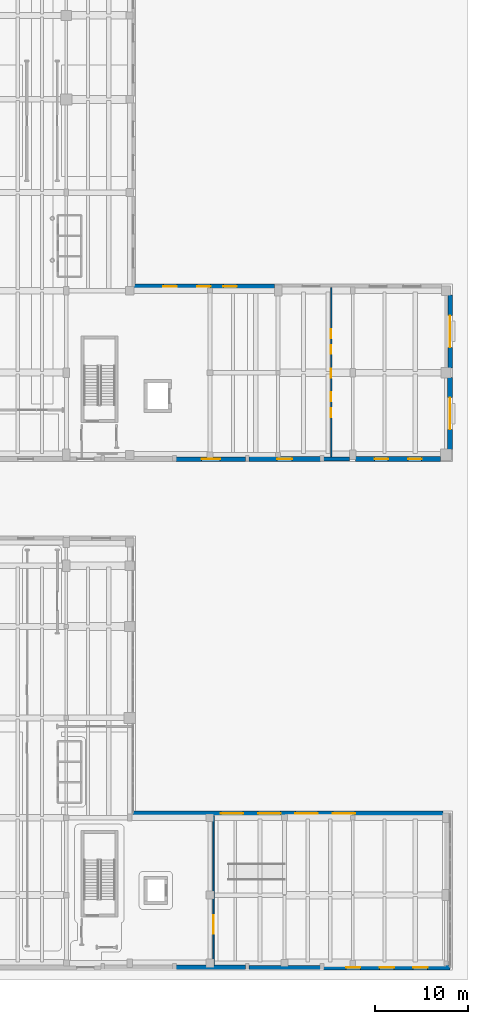
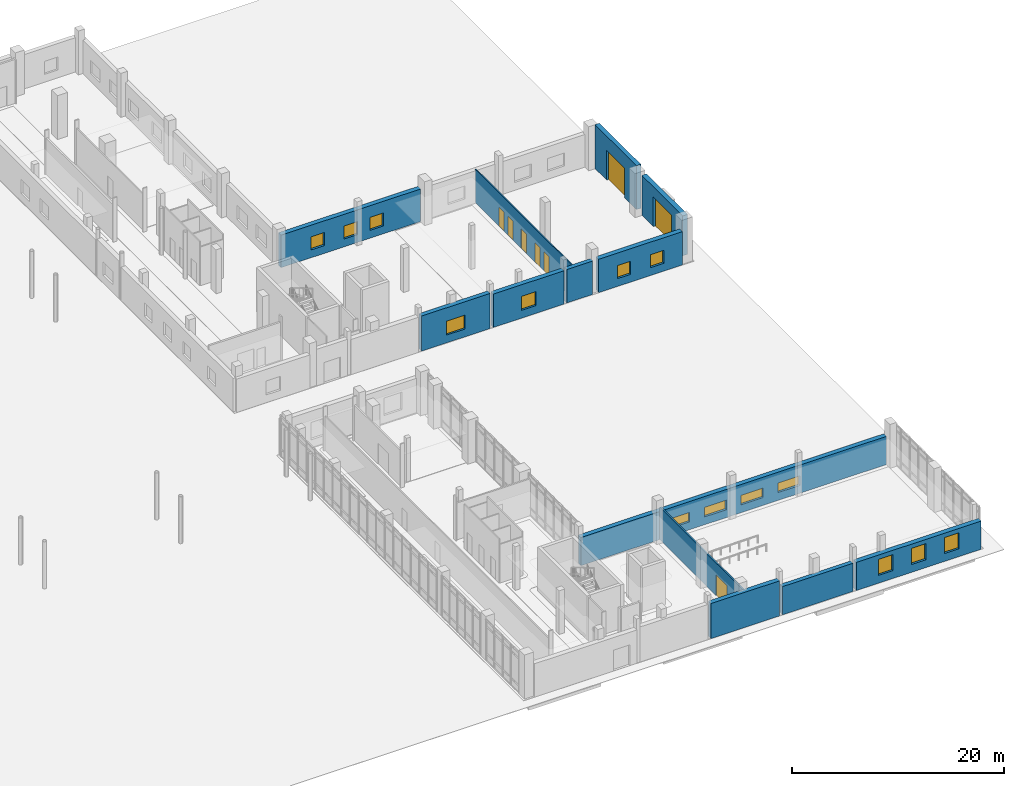
# One storey, part 54 of 74: 14 windows, 13 walls, 8 doors, 22 openings.
"""IFC4 building model written with IfcOpenShell, lengths in metres."""

import ifcopenshell
import ifcopenshell.guid

model = None  # the IFC model being written
_history = None  # IfcOwnerHistory: only IFC2X3 demands one
_inside = {}  # id of a spatial element -> (the spatial element, [elements in it])
_under = {}  # id of a project, library or spatial element -> (it, [spatial elements below it])
_declared = {}  # id of a project -> (the project, [libraries it declares])
_typed = {}  # id of a type object -> (the type object, [elements of that type])
_made_of = {}  # id of a material, layer set ... -> (it, [elements and type objects made of it])


def new_model(schema):
    """Start an empty IFC model of exactly this schema.

    Asked for "IFC4X3", IfcOpenShell would pick the latest addendum, in which some entities
    have other attributes; the version numbers below select the first issue.
    IFC2X3 requires an IfcOwnerHistory on every rooted entity: one is made here for all.
    """
    global model, _history
    if schema == "IFC4X3":
        model = ifcopenshell.file(schema_version=(4, 3, 0, 0))
    else:
        model = ifcopenshell.file(schema=schema)
    _inside.clear()
    _under.clear()
    _declared.clear()
    _typed.clear()
    _made_of.clear()
    _history = None
    if model.schema == "IFC2X3":
        org = make("IfcOrganization", Name="unknown")
        user = make(
            "IfcPersonAndOrganization",
            ThePerson=make("IfcPerson", FamilyName="unknown"),
            TheOrganization=org,
        )
        app = make(
            "IfcApplication",
            ApplicationDeveloper=org,
            Version="unknown",
            ApplicationFullName="unknown",
            ApplicationIdentifier="unknown",
        )
        _history = make(
            "IfcOwnerHistory",
            OwningUser=user,
            OwningApplication=app,
            ChangeAction="ADDED",
            CreationDate=0,
        )
    return model


def make(cls, **values):
    """One entity of the class cls with the attributes given. An attribute that is None is left unset."""
    return model.create_entity(
        cls, **{name: value for name, value in values.items() if value is not None}
    )


def rooted(cls, **values):
    """An entity with a GlobalId (a new one), such as an element, a storey or a relation."""
    return make(cls, GlobalId=ifcopenshell.guid.new(), OwnerHistory=_history, **values)


def si_unit(unit_type, name, prefix=None):
    """IfcSIUnit, for example si_unit("LENGTHUNIT", "METRE", prefix="MILLI")."""
    return make("IfcSIUnit", UnitType=unit_type, Prefix=prefix, Name=name)


def assignment(units):
    """IfcUnitAssignment: the units of a project."""
    return None if units is None else make("IfcUnitAssignment", Units=units)


def point(xyz):
    """IfcCartesianPoint."""
    return None if xyz is None else make("IfcCartesianPoint", Coordinates=xyz)


def direction(xyz):
    """IfcDirection."""
    return None if xyz is None else make("IfcDirection", DirectionRatios=xyz)


def frame(location, z_axis=None, x_axis=None):
    """IfcAxis2Placement3D, a coordinate frame: its origin and axes. An axis left out is left unset."""
    return make(
        "IfcAxis2Placement3D",
        Location=point(location),
        Axis=direction(z_axis),
        RefDirection=direction(x_axis),
    )


def frame_2d(location, x_axis=None):
    """IfcAxis2Placement2D, a coordinate frame in the plane: its origin and x axis."""
    return make(
        "IfcAxis2Placement2D", Location=point(location), RefDirection=direction(x_axis)
    )


def origin():
    """The frame at (0, 0, 0) with its axes left unset."""
    return frame((0.0, 0.0, 0.0))


def place(relative_to, where):
    """IfcLocalPlacement: puts the frame where relative to a parent placement (None: the world)."""
    return make(
        "IfcLocalPlacement", PlacementRelTo=relative_to, RelativePlacement=where
    )


def context(
    kind, dimensions, precision=None, world=None, true_north=None, identifier=None
):
    """IfcGeometricRepresentationContext, for example the 3D "Model" context."""
    return make(
        "IfcGeometricRepresentationContext",
        ContextIdentifier=identifier,
        ContextType=kind,
        CoordinateSpaceDimension=dimensions,
        Precision=precision,
        WorldCoordinateSystem=world,
        TrueNorth=true_north,
    )


def subcontext(parent, identifier, kind, view, scale=None):
    """IfcGeometricRepresentationSubContext, for example "Body" below "Model"."""
    return make(
        "IfcGeometricRepresentationSubContext",
        ContextIdentifier=identifier,
        ContextType=kind,
        ParentContext=parent,
        TargetScale=scale,
        TargetView=view,
    )


def project(units=None, contexts=None):
    """IfcProject with its units and contexts."""
    return rooted(
        "IfcProject",
        Name="project",
        RepresentationContexts=contexts,
        UnitsInContext=assignment(units),
    )


def spatial(cls, under=None, at=None, **own):
    """A site, building, storey or space (cls), placed at a placement, below another one or the project."""
    s = rooted(cls, ObjectPlacement=at, **own)
    if under is not None:
        _under.setdefault(under.id(), (under, []))[1].append(s)
    return s


def profile(cls, at=None, kind="AREA", **sizes):
    """A parametric profile (cls). Its sizes go by their IFC names, for example OverallWidth=200.0."""
    return make(cls, ProfileType=kind, Position=at, **sizes)


def rectangle(**sizes):
    """IfcRectangleProfileDef."""
    return profile("IfcRectangleProfileDef", **sizes)


def extrude(swept, where, along, depth):
    """IfcExtrudedAreaSolid: the profile swept, set in the frame where, extruded along a direction by depth."""
    return make(
        "IfcExtrudedAreaSolid",
        SweptArea=swept,
        Position=where,
        ExtrudedDirection=direction(along),
        Depth=depth,
    )


def shape(context_of_items, identifier, shape_type, items):
    """IfcShapeRepresentation: the items that make up one representation, for example the "Body"."""
    return make(
        "IfcShapeRepresentation",
        ContextOfItems=context_of_items,
        RepresentationIdentifier=identifier,
        RepresentationType=shape_type,
        Items=items,
    )


def material(Name=None, Category=None):
    """IfcMaterial."""
    return make("IfcMaterial", Name=Name, Category=Category)


def layer(
    of_material, thickness, ventilated=None, Name=None, Category=None, Priority=None
):
    """IfcMaterialLayer: one layer of a wall or slab, of a material (None: an air gap)."""
    return make(
        "IfcMaterialLayer",
        Material=of_material,
        LayerThickness=thickness,
        IsVentilated=ventilated,
        Name=Name,
        Category=Category,
        Priority=Priority,
    )


def layer_set(layers, Name=None):
    """IfcMaterialLayerSet."""
    return make("IfcMaterialLayerSet", MaterialLayers=layers, LayerSetName=Name)


def made_of(thing, what):
    """Note that an element or type object is made of a material, layer set ...; save() writes the relation."""
    if what is not None:
        _made_of.setdefault(what.id(), (what, []))[1].append(thing)
    return thing


def type_object(cls, material=None, **own):
    """A type object (cls), such as IfcWallType, which elements share."""
    return made_of(rooted(cls, **own), material)


def element(
    cls,
    number,
    at=None,
    inside=None,
    cuts=None,
    type_object=None,
    material=None,
    context=None,
    identifier="Body",
    shape_type=None,
    held_by="IfcProductDefinitionShape",
    body=None,
    shapes=None,
    **own,
):
    """One element of the class cls, such as IfcWall. Its Tag is "e" and its number.

    at: its placement. inside: the storey or other place that contains it. cuts: it is an
    opening in that element (IfcRelVoidsElement). A single representation is given by context,
    identifier, shape_type and body (its items); several are given by shapes. held_by: the class
    of the entity that holds the representations. save() writes the other relations.
    """
    e = rooted(cls, Tag="e%d" % number, ObjectPlacement=at, **own)
    if body is not None:
        shapes = [shape(context, identifier, shape_type, body)]
    if shapes is not None:
        e.Representation = make(held_by, Representations=shapes)
    if inside is not None:
        _inside.setdefault(inside.id(), (inside, []))[1].append(e)
    if cuts is not None:
        rooted(
            "IfcRelVoidsElement", RelatingBuildingElement=cuts, RelatedOpeningElement=e
        )
    if type_object is not None:
        _typed.setdefault(type_object.id(), (type_object, []))[1].append(e)
    return made_of(e, material)


def fill(opening, filler):
    """IfcRelFillsElement: the door or window that sits in an opening."""
    return rooted(
        "IfcRelFillsElement",
        RelatingOpeningElement=opening,
        RelatedBuildingElement=filler,
    )


def aggregate(whole, parts):
    """IfcRelAggregates: a whole, such as a stair, and the parts it consists of."""
    return rooted("IfcRelAggregates", RelatingObject=whole, RelatedObjects=parts)


def save(model, path):
    """Write the relations noted so far, then the file.

    IfcRelAggregates (storeys below a building ...), IfcRelContainedInSpatialStructure (elements
    in a storey), IfcRelDefinesByType, IfcRelAssociatesMaterial and IfcRelDeclares: one each for
    every whole, place, type object, material and project.
    """
    for whole, parts in _under.values():
        aggregate(whole, parts)
    for where, things in _inside.values():
        rooted(
            "IfcRelContainedInSpatialStructure",
            RelatedElements=things,
            RelatingStructure=where,
        )
    for kind, things in _typed.values():
        rooted("IfcRelDefinesByType", RelatedObjects=things, RelatingType=kind)
    for what, things in _made_of.values():
        rooted("IfcRelAssociatesMaterial", RelatedObjects=things, RelatingMaterial=what)
    for by, libraries in _declared.values():
        rooted("IfcRelDeclares", RelatingContext=by, RelatedDefinitions=libraries)
    model.write(path)


model = new_model("IFC4")

# Units and contexts
model_context = context("Model", 3, precision=1e-05, world=origin(), true_north=direction((0.0, 1.0)))
body_context = subcontext(model_context, "Body", "Model", "MODEL_VIEW")
ifc_project = project(units=[si_unit("LENGTHUNIT", "METRE"), si_unit("AREAUNIT", "SQUARE_METRE"), si_unit("VOLUMEUNIT", "CUBIC_METRE"), si_unit("PLANEANGLEUNIT", "RADIAN"), si_unit("MASSUNIT", "GRAM", prefix="KILO")], contexts=[model_context])

# Site, building, storey
site_placement = place(None, origin())
site = spatial("IfcSite", under=ifc_project, at=site_placement, CompositionType="ELEMENT")
building_placement = place(site_placement, origin())
building = spatial("IfcBuilding", under=site, at=building_placement, Name="Soyqirgoq Riverine Aquarium", CompositionType="ELEMENT")
storey_placement = place(building_placement, origin())
storey = spatial("IfcBuildingStorey", under=building, at=storey_placement, Name="L01", CompositionType="ELEMENT", Elevation=0.0)

# Wall, openings, doors
ifc_material_1 = material(Name="Lightweight steel-stud gypsum partition", Category="steel")
ifc_layer_1 = layer(ifc_material_1, 0.1201171875)
ifc_layer_set_1 = layer_set([ifc_layer_1], Name="Lightweight steel-stud gypsum partition")
wall_type_1 = type_object("IfcWallType", Name="PartitionWall_120_Std", PredefinedType="PARTITIONING", material=ifc_layer_set_1)
wall_1_placement = place(storey_placement, frame((151.0, 74.6298828125, 0.0), z_axis=(0.0, 0.0, 1.0), x_axis=(0.0, -1.0, 0.0)))
wall_1 = element("IfcWall", 1, at=wall_1_placement, inside=storey, type_object=wall_type_1, Name="Enclosed Lorry Loading Bay Partition Wall", PredefinedType="PARTITIONING", context=body_context, shape_type="SweptSolid", body=[
    extrude(rectangle(XDim=18.259765625, YDim=0.1201171875, at=frame_2d((9.1298828125, 0.0))), origin(), (0.0, 0.0, 1.0), 3.840087890625),
])
opening_1_placement = place(wall_1_placement, frame((8.679931640625, 0.0, 0.0)))
opening_1 = element("IfcOpeningElement", 2, at=opening_1_placement, cuts=wall_1, Name="Opening ID-03", PredefinedType="OPENING", context=body_context, shape_type="SweptSolid", body=[
    extrude(rectangle(XDim=1.0, YDim=2.199951171875, at=frame_2d((0.5, 1.10009765625))), frame((0.0, 0.070068359375, 0.0), z_axis=(0.0, -1.0, 0.0), x_axis=(1.0, 0.0, 0.0)), (0.0, 0.0, 1.0), 0.14013671875),
])
opening_2_placement = place(wall_1_placement, frame((6.16259765625, 0.0, 0.0)))
opening_2 = element("IfcOpeningElement", 3, at=opening_2_placement, cuts=wall_1, Name="Opening ID-06", PredefinedType="OPENING", context=body_context, shape_type="SweptSolid", body=[
    extrude(rectangle(XDim=0.949951171875, YDim=2.199951171875, at=frame_2d((0.47509765625, 1.10009765625))), frame((0.0, 0.070068359375, 0.0), z_axis=(0.0, -1.0, 0.0), x_axis=(1.0, 0.0, 0.0)), (0.0, 0.0, 1.0), 0.14013671875),
])
opening_3_placement = place(wall_1_placement, frame((11.24755859375, 0.0, 0.0)))
opening_3 = element("IfcOpeningElement", 4, at=opening_3_placement, cuts=wall_1, Name="Opening ID-06", PredefinedType="OPENING", context=body_context, shape_type="SweptSolid", body=[
    extrude(rectangle(XDim=0.949951171875, YDim=2.199951171875, at=frame_2d((0.47509765625, 1.10009765625))), frame((0.0, 0.070068359375, 0.0), z_axis=(0.0, -1.0, 0.0), x_axis=(1.0, 0.0, 0.0)), (0.0, 0.0, 1.0), 0.14013671875),
])
opening_4_placement = place(wall_1_placement, frame((4.467529296875, 0.0, 0.0)))
opening_4 = element("IfcOpeningElement", 5, at=opening_4_placement, cuts=wall_1, Name="Opening ID-06", PredefinedType="OPENING", context=body_context, shape_type="SweptSolid", body=[
    extrude(rectangle(XDim=0.949951171875, YDim=2.199951171875, at=frame_2d((0.47509765625, 1.10009765625))), frame((0.0, 0.070068359375, 0.0), z_axis=(0.0, -1.0, 0.0), x_axis=(1.0, 0.0, 0.0)), (0.0, 0.0, 1.0), 0.14013671875),
])
opening_5_placement = place(wall_1_placement, frame((12.9423828125, 0.0, 0.0)))
opening_5 = element("IfcOpeningElement", 6, at=opening_5_placement, cuts=wall_1, Name="Opening ID-06", PredefinedType="OPENING", context=body_context, shape_type="SweptSolid", body=[
    extrude(rectangle(XDim=0.949951171875, YDim=2.199951171875, at=frame_2d((0.47509765625, 1.10009765625))), frame((0.0, 0.070068359375, 0.0), z_axis=(0.0, -1.0, 0.0), x_axis=(1.0, 0.0, 0.0)), (0.0, 0.0, 1.0), 0.14013671875),
])
ifc_material_2 = material(Name="Solid-core ash veneer room door", Category="wood")
door_type_1 = type_object("IfcDoorType", Name="RoomDoor_1000x2200", OperationType="NOTDEFINED", PredefinedType="DOOR", material=ifc_material_2)
door_1_placement = place(opening_1_placement, origin())
door_1 = element("IfcDoor", 7, at=door_1_placement, inside=storey, type_object=door_type_1, Name="IDR-V7-L01-0216 Enclosed Lorry Loading Bay Door", OperationType="SINGLE_SWING_RIGHT", OverallHeight=2.199951171875, OverallWidth=1.0, PredefinedType="DOOR", context=body_context, shape_type="SweptSolid", body=[
    extrude(rectangle(XDim=1.0, YDim=2.199951171875, at=frame_2d((0.5, 1.10009765625))), frame((0.0, 0.02490234375, 0.0), z_axis=(0.0, -1.0, 0.0), x_axis=(1.0, 0.0, 0.0)), (0.0, 0.0, 1.0), 0.050048828125),
])
fill(opening_1, door_1)
ifc_material_3 = material(Name="Moisture-resistant HPL washroom door", Category="wood")
door_type_2 = type_object("IfcDoorType", Name="WCDoor_950x2200", OperationType="NOTDEFINED", PredefinedType="DOOR", material=ifc_material_3)
door_2_placement = place(opening_2_placement, origin())
door_2 = element("IfcDoor", 8, at=door_2_placement, inside=storey, type_object=door_type_2, Name="IDR-V7-L01-0220 Enclosed Lorry Loading Bay Access Door", OperationType="SINGLE_SWING_LEFT", OverallHeight=2.199951171875, OverallWidth=0.949951171875, PredefinedType="DOOR", context=body_context, shape_type="SweptSolid", body=[
    extrude(rectangle(XDim=0.949951171875, YDim=2.199951171875, at=frame_2d((0.47509765625, 1.10009765625))), frame((0.0, 0.02490234375, 0.0), z_axis=(0.0, -1.0, 0.0), x_axis=(1.0, 0.0, 0.0)), (0.0, 0.0, 1.0), 0.050048828125),
])
fill(opening_2, door_2)
door_3_placement = place(opening_3_placement, origin())
door_3 = element("IfcDoor", 9, at=door_3_placement, inside=storey, type_object=door_type_2, Name="IDR-V7-L01-0223 Life Support Plant Access Door", OperationType="SINGLE_SWING_RIGHT", OverallHeight=2.199951171875, OverallWidth=0.949951171875, PredefinedType="DOOR", context=body_context, shape_type="SweptSolid", body=[
    extrude(rectangle(XDim=0.949951171875, YDim=2.199951171875, at=frame_2d((0.47509765625, 1.10009765625))), frame((0.0, 0.02490234375, 0.0), z_axis=(0.0, -1.0, 0.0), x_axis=(1.0, 0.0, 0.0)), (0.0, 0.0, 1.0), 0.050048828125),
])
fill(opening_3, door_3)
door_4_placement = place(opening_4_placement, origin())
door_4 = element("IfcDoor", 10, at=door_4_placement, inside=storey, type_object=door_type_2, Name="IDR-V7-L01-0224 Enclosed Lorry Loading Bay Access Door", OperationType="SINGLE_SWING_LEFT", OverallHeight=2.199951171875, OverallWidth=0.949951171875, PredefinedType="DOOR", context=body_context, shape_type="SweptSolid", body=[
    extrude(rectangle(XDim=0.949951171875, YDim=2.199951171875, at=frame_2d((0.47509765625, 1.10009765625))), frame((0.0, 0.02490234375, 0.0), z_axis=(0.0, -1.0, 0.0), x_axis=(1.0, 0.0, 0.0)), (0.0, 0.0, 1.0), 0.050048828125),
])
fill(opening_4, door_4)
door_5_placement = place(opening_5_placement, origin())
door_5 = element("IfcDoor", 11, at=door_5_placement, inside=storey, type_object=door_type_2, Name="IDR-V7-L01-0225 Life Support Plant Access Door", OperationType="SINGLE_SWING_RIGHT", OverallHeight=2.199951171875, OverallWidth=0.949951171875, PredefinedType="DOOR", context=body_context, shape_type="SweptSolid", body=[
    extrude(rectangle(XDim=0.949951171875, YDim=2.199951171875, at=frame_2d((0.47509765625, 1.10009765625))), frame((0.0, 0.02490234375, 0.0), z_axis=(0.0, -1.0, 0.0), x_axis=(1.0, 0.0, 0.0)), (0.0, 0.0, 1.0), 0.050048828125),
])
fill(opening_5, door_5)

# Wall, opening, door
ifc_material_4 = material(Name="Fire-rated acoustic gypsum stud partition", Category="gypsum")
ifc_layer_2 = layer(ifc_material_4, 0.159912109375)
ifc_layer_set_2 = layer_set([ifc_layer_2], Name="Fire-rated acoustic gypsum stud partition")
wall_type_2 = type_object("IfcWallType", Name="PartitionWall_160_EI60", PredefinedType="PARTITIONING", material=ifc_layer_set_2)
wall_2_placement = place(storey_placement, frame((138.39990234375, 18.0, 0.0), z_axis=(0.0, 0.0, 1.0), x_axis=(0.0, -1.0, 0.0)))
wall_2 = element("IfcWall", 12, at=wall_2_placement, inside=storey, type_object=wall_type_2, Name="Education Auditorium Partition Wall", PredefinedType="PARTITIONING", context=body_context, shape_type="SweptSolid", body=[
    extrude(rectangle(XDim=16.0, YDim=0.159912109375, at=frame_2d((8.0, 0.0))), origin(), (0.0, 0.0, 1.0), 3.739990234375),
])
opening_6_placement = place(wall_2_placement, frame((10.639892578125, 0.0, 0.0)))
opening_6 = element("IfcOpeningElement", 13, at=opening_6_placement, cuts=wall_2, Name="Opening ID-02", PredefinedType="OPENING", context=body_context, shape_type="SweptSolid", body=[
    extrude(rectangle(XDim=2.0, YDim=2.39990234375, at=frame_2d((1.0, 1.199951171875))), frame((0.0, 0.08984375, 0.0), z_axis=(0.0, -1.0, 0.0), x_axis=(1.0, 0.0, 0.0)), (0.0, 0.0, 1.0), 0.179931640625),
])
ifc_material_5 = material(Name="Acoustic solid oak auditorium double door", Category="wood")
door_type_3 = type_object("IfcDoorType", Name="AuditoriumDoubleDoor_2000x2400", OperationType="DOUBLE_DOOR_DOUBLE_SWING", PredefinedType="DOOR", material=ifc_material_5)
door_6_placement = place(opening_6_placement, origin())
door_6 = element("IfcDoor", 14, at=door_6_placement, inside=storey, type_object=door_type_3, Name="IDR-V6-L01-0182 Education Auditorium Door", OperationType="DOUBLE_DOOR_DOUBLE_SWING", OverallHeight=2.39990234375, OverallWidth=2.0, PredefinedType="DOOR", context=body_context, shape_type="SweptSolid", body=[
    extrude(rectangle(XDim=2.0, YDim=2.39990234375, at=frame_2d((1.0, 1.199951171875))), frame((0.0, 0.02490234375, 0.0), z_axis=(0.0, -1.0, 0.0), x_axis=(1.0, 0.0, 0.0)), (0.0, 0.0, 1.0), 0.050048828125),
])
fill(opening_6, door_6)

# Walls
ifc_material_6 = material(Name="Honed travertine limestone cavity wall", Category="masonry")
ifc_layer_3 = layer(ifc_material_6, 0.449951171875)
ifc_layer_set_3 = layer_set([ifc_layer_3], Name="Honed travertine limestone cavity wall")
wall_type_3 = type_object("IfcWallType", Name="TravertineCavityWall_450", PredefinedType="SOLIDWALL", material=ifc_layer_set_3)
wall_3_placement = place(storey_placement, frame((149.830078125, 1.75, 0.0), z_axis=(0.0, 0.0, 1.0), x_axis=(-1.0, 0.0, 0.0)))
element("IfcWall", 15, at=wall_3_placement, inside=storey, type_object=wall_type_3, Name="V6 L01 Exterior Travertine Wall 0346", PredefinedType="SOLIDWALL", context=body_context, shape_type="SweptSolid", body=[
    extrude(rectangle(XDim=7.66015625, YDim=0.449951171875, at=frame_2d((3.830078125, 0.0))), origin(), (0.0, 0.0, 1.0), 3.239990234375),
])
wall_4_placement = place(storey_placement, frame((152.97998046875, 56.25, 0.0), z_axis=(0.0, 0.0, 1.0), x_axis=(-1.0, 0.0, 0.0)))
element("IfcWall", 16, at=wall_4_placement, inside=storey, type_object=wall_type_3, Name="V7 L01 Exterior Travertine Wall 0376", PredefinedType="SOLIDWALL", context=body_context, shape_type="SweptSolid", body=[
    extrude(rectangle(XDim=2.81005859375, YDim=0.449951171875, at=frame_2d((1.405029296875, 0.0))), origin(), (0.0, 0.0, 1.0), 3.840087890625),
])

# Wall, opening, door
ifc_material_7 = material(Name="Honed travertine limestone cavity wall", Category="masonry")
ifc_layer_4 = layer(ifc_material_7, 0.47998046875)
ifc_layer_set_4 = layer_set([ifc_layer_4], Name="Honed travertine limestone cavity wall")
wall_type_4 = type_object("IfcWallType", Name="TravertineCavityWall_480", PredefinedType="SOLIDWALL", material=ifc_layer_set_4)
wall_5_placement = place(storey_placement, frame((163.75, 73.830078125, 0.0), z_axis=(0.0, 0.0, 1.0), x_axis=(0.0, -1.0, 0.0)))
wall_5 = element("IfcWall", 17, at=wall_5_placement, inside=storey, type_object=wall_type_4, Name="V7 L01 Exterior Travertine Wall 0373", PredefinedType="SOLIDWALL", context=body_context, shape_type="SweptSolid", body=[
    extrude(rectangle(XDim=7.81005859375, YDim=0.47998046875, at=frame_2d((3.905029296875, 0.0))), origin(), (0.0, 0.0, 1.0), 5.050048828125),
])
opening_7_placement = place(wall_5_placement, frame((2.205078125, 0.0, 0.0)))
opening_7 = element("IfcOpeningElement", 18, at=opening_7_placement, cuts=wall_5, Name="Opening SD-01", PredefinedType="OPENING", context=body_context, shape_type="SweptSolid", body=[
    extrude(rectangle(XDim=3.39990234375, YDim=3.39990234375, at=frame_2d((1.699951171875, 1.699951171875))), frame((0.0, 0.25, 0.0), z_axis=(0.0, -1.0, 0.0), x_axis=(1.0, 0.0, 0.0)), (0.0, 0.0, 1.0), 0.5),
])
ifc_material_8 = material(Name="Insulated galvanised steel roller shutter", Category="steel")
door_type_4 = type_object("IfcDoorType", Name="LoadingRollerShutter_3400x3400", OperationType="ROLLINGUP", PredefinedType="GATE", material=ifc_material_8)
door_7_placement = place(opening_7_placement, origin())
door_7 = element("IfcDoor", 19, at=door_7_placement, inside=storey, type_object=door_type_4, Name="EDR-V7-L01-SH01 V7 L01 Quarantine Service Roller Shutter 01", OperationType="ROLLINGUP", OverallHeight=3.39990234375, OverallWidth=3.39990234375, PredefinedType="GATE", context=body_context, shape_type="SweptSolid", body=[
    extrude(rectangle(XDim=3.39990234375, YDim=3.39990234375, at=frame_2d((1.699951171875, 1.699951171875))), frame((0.0, 0.02490234375, 0.0), z_axis=(0.0, -1.0, 0.0), x_axis=(1.0, 0.0, 0.0)), (0.0, 0.0, 1.0), 0.050048828125),
])
fill(opening_7, door_7)

# Wall, opening, window
wall_6_placement = place(storey_placement, frame((141.830078125, 56.25, 0.0), z_axis=(0.0, 0.0, 1.0), x_axis=(-1.0, 0.0, 0.0)))
wall_6 = element("IfcWall", 20, at=wall_6_placement, inside=storey, type_object=wall_type_4, Name="V7 L01 Exterior Travertine Wall 0378", PredefinedType="SOLIDWALL", context=body_context, shape_type="SweptSolid", body=[
    extrude(rectangle(XDim=7.4599609375, YDim=0.47998046875, at=frame_2d((3.72998046875, 0.0))), origin(), (0.0, 0.0, 1.0), 4.0400390625),
])
opening_8_placement = place(wall_6_placement, frame((2.72998046875, 0.0, 0.89990234375)))
opening_8 = element("IfcOpeningElement", 21, at=opening_8_placement, cuts=wall_6, Name="Opening WN-07", PredefinedType="OPENING", context=body_context, shape_type="SweptSolid", body=[
    extrude(rectangle(XDim=2.0, YDim=1.60009765625, at=frame_2d((1.0, 0.800048828125))), frame((0.0, 0.25, 0.0), z_axis=(0.0, -1.0, 0.0), x_axis=(1.0, 0.0, 0.0)), (0.0, 0.0, 1.0), 0.5),
])
ifc_material_9 = material(Name="Thermally broken aluminium triple low-E window", Category="aluminium")
window_type_1 = type_object("IfcWindowType", Name="Win_Lab_2000x1600", PartitioningType="TRIPLE_PANEL_VERTICAL", PredefinedType="WINDOW", material=ifc_material_9)
window_1_placement = place(opening_8_placement, origin())
window_1 = element("IfcWindow", 22, at=window_1_placement, inside=storey, type_object=window_type_1, Name="V7 L01 Facade Window 0330", OverallHeight=1.60009765625, OverallWidth=2.0, PartitioningType="TRIPLE_PANEL_VERTICAL", PredefinedType="WINDOW", context=body_context, shape_type="SweptSolid", body=[
    extrude(rectangle(XDim=2.0, YDim=1.60009765625, at=frame_2d((1.0, 0.800048828125))), frame((0.0, 0.030029296875, 0.0), z_axis=(0.0, -1.0, 0.0), x_axis=(1.0, 0.0, 0.0)), (0.0, 0.0, 1.0), 0.06005859375),
])
fill(opening_8, window_1)

# Wall, openings, windows
ifc_material_10 = material(Name="Honed travertine limestone cavity wall", Category="masonry")
ifc_layer_5 = layer(ifc_material_10, 0.5)
ifc_layer_set_5 = layer_set([ifc_layer_5], Name="Honed travertine limestone cavity wall")
wall_type_5 = type_object("IfcWallType", Name="TravertineCavityWall_500", PredefinedType="SOLIDWALL", material=ifc_layer_set_5)
wall_7_placement = place(storey_placement, frame((129.75, 18.25, 0.0), z_axis=(0.0, 0.0, 1.0), x_axis=(1.0, 0.0, 0.0)))
wall_7 = element("IfcWall", 23, at=wall_7_placement, inside=storey, type_object=wall_type_5, Name="V6 L01 Exterior Travertine Wall 0344", PredefinedType="SOLIDWALL", context=body_context, shape_type="SweptSolid", body=[
    extrude(rectangle(XDim=33.22998046875, YDim=0.5, at=frame_2d((16.614990234375, 0.0))), origin(), (0.0, 0.0, 1.0), 3.239990234375),
])
opening_9_placement = place(wall_7_placement, frame((9.4150390625, 0.0, 0.89990234375)))
opening_9 = element("IfcOpeningElement", 24, at=opening_9_placement, cuts=wall_7, Name="Opening WN-10", PredefinedType="OPENING", context=body_context, shape_type="SweptSolid", body=[
    extrude(rectangle(XDim=2.39990234375, YDim=1.10009765625, at=frame_2d((1.199951171875, 0.550048828125))), frame((0.0, 0.260009765625, 0.0), z_axis=(0.0, -1.0, 0.0), x_axis=(1.0, 0.0, 0.0)), (0.0, 0.0, 1.0), 0.52001953125),
])
opening_10_placement = place(wall_7_placement, frame((13.4150390625, 0.0, 0.89990234375)))
opening_10 = element("IfcOpeningElement", 25, at=opening_10_placement, cuts=wall_7, Name="Opening WN-10", PredefinedType="OPENING", context=body_context, shape_type="SweptSolid", body=[
    extrude(rectangle(XDim=2.39990234375, YDim=1.10009765625, at=frame_2d((1.199951171875, 0.550048828125))), frame((0.0, 0.260009765625, 0.0), z_axis=(0.0, -1.0, 0.0), x_axis=(1.0, 0.0, 0.0)), (0.0, 0.0, 1.0), 0.52001953125),
])
opening_11_placement = place(wall_7_placement, frame((17.4150390625, 0.0, 0.89990234375)))
opening_11 = element("IfcOpeningElement", 26, at=opening_11_placement, cuts=wall_7, Name="Opening WN-10", PredefinedType="OPENING", context=body_context, shape_type="SweptSolid", body=[
    extrude(rectangle(XDim=2.39990234375, YDim=1.10009765625, at=frame_2d((1.199951171875, 0.550048828125))), frame((0.0, 0.260009765625, 0.0), z_axis=(0.0, -1.0, 0.0), x_axis=(1.0, 0.0, 0.0)), (0.0, 0.0, 1.0), 0.52001953125),
])
opening_12_placement = place(wall_7_placement, frame((21.4150390625, 0.0, 0.89990234375)))
opening_12 = element("IfcOpeningElement", 27, at=opening_12_placement, cuts=wall_7, Name="Opening WN-10", PredefinedType="OPENING", context=body_context, shape_type="SweptSolid", body=[
    extrude(rectangle(XDim=2.39990234375, YDim=1.10009765625, at=frame_2d((1.199951171875, 0.550048828125))), frame((0.0, 0.260009765625, 0.0), z_axis=(0.0, -1.0, 0.0), x_axis=(1.0, 0.0, 0.0)), (0.0, 0.0, 1.0), 0.52001953125),
])
ifc_material_11 = material(Name="Thermally broken aluminium triple low-E window", Category="aluminium")
window_type_2 = type_object("IfcWindowType", Name="Win_Clerestory_2400x1100", PartitioningType="DOUBLE_PANEL_HORIZONTAL", PredefinedType="LIGHTDOME", material=ifc_material_11)
window_2_placement = place(opening_9_placement, origin())
window_2 = element("IfcWindow", 28, at=window_2_placement, inside=storey, type_object=window_type_2, Name="V6 L01 Facade Window 0277", OverallHeight=1.10009765625, OverallWidth=2.39990234375, PartitioningType="DOUBLE_PANEL_HORIZONTAL", PredefinedType="LIGHTDOME", context=body_context, shape_type="SweptSolid", body=[
    extrude(rectangle(XDim=2.39990234375, YDim=1.10009765625, at=frame_2d((1.199951171875, 0.550048828125))), frame((0.0, 0.030029296875, 0.0), z_axis=(0.0, -1.0, 0.0), x_axis=(1.0, 0.0, 0.0)), (0.0, 0.0, 1.0), 0.06005859375),
])
fill(opening_9, window_2)
window_3_placement = place(opening_10_placement, origin())
window_3 = element("IfcWindow", 29, at=window_3_placement, inside=storey, type_object=window_type_2, Name="V6 L01 Facade Window 0278", OverallHeight=1.10009765625, OverallWidth=2.39990234375, PartitioningType="DOUBLE_PANEL_HORIZONTAL", PredefinedType="LIGHTDOME", context=body_context, shape_type="SweptSolid", body=[
    extrude(rectangle(XDim=2.39990234375, YDim=1.10009765625, at=frame_2d((1.199951171875, 0.550048828125))), frame((0.0, 0.030029296875, 0.0), z_axis=(0.0, -1.0, 0.0), x_axis=(1.0, 0.0, 0.0)), (0.0, 0.0, 1.0), 0.06005859375),
])
fill(opening_10, window_3)
window_4_placement = place(opening_11_placement, origin())
window_4 = element("IfcWindow", 30, at=window_4_placement, inside=storey, type_object=window_type_2, Name="V6 L01 Facade Window 0279", OverallHeight=1.10009765625, OverallWidth=2.39990234375, PartitioningType="DOUBLE_PANEL_HORIZONTAL", PredefinedType="LIGHTDOME", context=body_context, shape_type="SweptSolid", body=[
    extrude(rectangle(XDim=2.39990234375, YDim=1.10009765625, at=frame_2d((1.199951171875, 0.550048828125))), frame((0.0, 0.030029296875, 0.0), z_axis=(0.0, -1.0, 0.0), x_axis=(1.0, 0.0, 0.0)), (0.0, 0.0, 1.0), 0.06005859375),
])
fill(opening_11, window_4)
window_5_placement = place(opening_12_placement, origin())
window_5 = element("IfcWindow", 31, at=window_5_placement, inside=storey, type_object=window_type_2, Name="V6 L01 Facade Window 0280", OverallHeight=1.10009765625, OverallWidth=2.39990234375, PartitioningType="DOUBLE_PANEL_HORIZONTAL", PredefinedType="LIGHTDOME", context=body_context, shape_type="SweptSolid", body=[
    extrude(rectangle(XDim=2.39990234375, YDim=1.10009765625, at=frame_2d((1.199951171875, 0.550048828125))), frame((0.0, 0.030029296875, 0.0), z_axis=(0.0, -1.0, 0.0), x_axis=(1.0, 0.0, 0.0)), (0.0, 0.0, 1.0), 0.06005859375),
])
fill(opening_12, window_5)

# Wall
wall_8_placement = place(storey_placement, frame((141.830078125, 1.75, 0.0), z_axis=(0.0, 0.0, 1.0), x_axis=(-1.0, 0.0, 0.0)))
element("IfcWall", 32, at=wall_8_placement, inside=storey, type_object=wall_type_5, Name="V6 L01 Exterior Travertine Wall 0347", PredefinedType="SOLIDWALL", context=body_context, shape_type="SweptSolid", body=[
    extrude(rectangle(XDim=7.4599609375, YDim=0.5, at=frame_2d((3.72998046875, 0.0))), origin(), (0.0, 0.0, 1.0), 4.0400390625),
])

# Wall, openings, windows
wall_9_placement = place(storey_placement, frame((129.75, 74.75, 0.0), z_axis=(0.0, 0.0, 1.0), x_axis=(1.0, 0.0, 0.0)))
wall_9 = element("IfcWall", 33, at=wall_9_placement, inside=storey, type_object=wall_type_5, Name="V7 L01 Exterior Travertine Wall 0371", PredefinedType="SOLIDWALL", context=body_context, shape_type="SweptSolid", body=[
    extrude(rectangle(XDim=15.179931640625, YDim=0.5, at=frame_2d((7.58984375, 0.0))), origin(), (0.0, 0.0, 1.0), 3.739990234375),
])
opening_13_placement = place(wall_9_placement, frame((3.264892578125, 0.0, 0.89990234375)))
opening_13 = element("IfcOpeningElement", 34, at=opening_13_placement, cuts=wall_9, Name="Opening WN-15", PredefinedType="OPENING", context=body_context, shape_type="SweptSolid", body=[
    extrude(rectangle(XDim=1.449951171875, YDim=1.5, at=frame_2d((0.72509765625, 0.75))), frame((0.0, 0.260009765625, 0.0), z_axis=(0.0, -1.0, 0.0), x_axis=(1.0, 0.0, 0.0)), (0.0, 0.0, 1.0), 0.52001953125),
])
opening_14_placement = place(wall_9_placement, frame((6.864990234375, 0.0, 0.89990234375)))
opening_14 = element("IfcOpeningElement", 35, at=opening_14_placement, cuts=wall_9, Name="Opening WN-15", PredefinedType="OPENING", context=body_context, shape_type="SweptSolid", body=[
    extrude(rectangle(XDim=1.449951171875, YDim=1.5, at=frame_2d((0.72509765625, 0.75))), frame((0.0, 0.260009765625, 0.0), z_axis=(0.0, -1.0, 0.0), x_axis=(1.0, 0.0, 0.0)), (0.0, 0.0, 1.0), 0.52001953125),
])
opening_15_placement = place(wall_9_placement, frame((9.68505859375, 0.0, 0.89990234375)))
opening_15 = element("IfcOpeningElement", 36, at=opening_15_placement, cuts=wall_9, Name="Opening WN-15", PredefinedType="OPENING", context=body_context, shape_type="SweptSolid", body=[
    extrude(rectangle(XDim=1.449951171875, YDim=1.5, at=frame_2d((0.72509765625, 0.75))), frame((0.0, 0.260009765625, 0.0), z_axis=(0.0, -1.0, 0.0), x_axis=(1.0, 0.0, 0.0)), (0.0, 0.0, 1.0), 0.52001953125),
])
ifc_material_12 = material(Name="Thermally broken aluminium triple low-E window", Category="aluminium")
window_type_3 = type_object("IfcWindowType", Name="Win_Lab_1450x1500", PartitioningType="DOUBLE_PANEL_VERTICAL", PredefinedType="WINDOW", material=ifc_material_12)
window_6_placement = place(opening_13_placement, origin())
window_6 = element("IfcWindow", 37, at=window_6_placement, inside=storey, type_object=window_type_3, Name="V7 L01 Facade Window 0321", OverallHeight=1.5, OverallWidth=1.449951171875, PartitioningType="DOUBLE_PANEL_VERTICAL", PredefinedType="WINDOW", context=body_context, shape_type="SweptSolid", body=[
    extrude(rectangle(XDim=1.449951171875, YDim=1.5, at=frame_2d((0.72509765625, 0.75))), frame((0.0, 0.030029296875, 0.0), z_axis=(0.0, -1.0, 0.0), x_axis=(1.0, 0.0, 0.0)), (0.0, 0.0, 1.0), 0.06005859375),
])
fill(opening_13, window_6)
window_7_placement = place(opening_14_placement, origin())
window_7 = element("IfcWindow", 38, at=window_7_placement, inside=storey, type_object=window_type_3, Name="V7 L01 Facade Window 0322", OverallHeight=1.5, OverallWidth=1.449951171875, PartitioningType="DOUBLE_PANEL_VERTICAL", PredefinedType="WINDOW", context=body_context, shape_type="SweptSolid", body=[
    extrude(rectangle(XDim=1.449951171875, YDim=1.5, at=frame_2d((0.72509765625, 0.75))), frame((0.0, 0.030029296875, 0.0), z_axis=(0.0, -1.0, 0.0), x_axis=(1.0, 0.0, 0.0)), (0.0, 0.0, 1.0), 0.06005859375),
])
fill(opening_14, window_7)
window_8_placement = place(opening_15_placement, origin())
window_8 = element("IfcWindow", 39, at=window_8_placement, inside=storey, type_object=window_type_3, Name="V7 L01 Facade Window 0323", OverallHeight=1.5, OverallWidth=1.449951171875, PartitioningType="DOUBLE_PANEL_VERTICAL", PredefinedType="WINDOW", context=body_context, shape_type="SweptSolid", body=[
    extrude(rectangle(XDim=1.449951171875, YDim=1.5, at=frame_2d((0.72509765625, 0.75))), frame((0.0, 0.030029296875, 0.0), z_axis=(0.0, -1.0, 0.0), x_axis=(1.0, 0.0, 0.0)), (0.0, 0.0, 1.0), 0.06005859375),
])
fill(opening_15, window_8)

# Wall, opening, window
wall_10_placement = place(storey_placement, frame((149.830078125, 56.25, 0.0), z_axis=(0.0, 0.0, 1.0), x_axis=(-1.0, 0.0, 0.0)))
wall_10 = element("IfcWall", 40, at=wall_10_placement, inside=storey, type_object=wall_type_5, Name="V7 L01 Exterior Travertine Wall 0377", PredefinedType="SOLIDWALL", context=body_context, shape_type="SweptSolid", body=[
    extrude(rectangle(XDim=7.66015625, YDim=0.5, at=frame_2d((3.830078125, 0.0))), origin(), (0.0, 0.0, 1.0), 3.840087890625),
])
opening_16_placement = place(wall_10_placement, frame((3.030029296875, 0.0, 0.89990234375)))
opening_16 = element("IfcOpeningElement", 41, at=opening_16_placement, cuts=wall_10, Name="Opening WN-06", PredefinedType="OPENING", context=body_context, shape_type="SweptSolid", body=[
    extrude(rectangle(XDim=1.60009765625, YDim=1.60009765625, at=frame_2d((0.800048828125, 0.800048828125))), frame((0.0, 0.260009765625, 0.0), z_axis=(0.0, -1.0, 0.0), x_axis=(1.0, 0.0, 0.0)), (0.0, 0.0, 1.0), 0.52001953125),
])
ifc_material_13 = material(Name="Thermally broken aluminium triple low-E window", Category="aluminium")
window_type_4 = type_object("IfcWindowType", Name="Win_Lab_1600x1600", PartitioningType="DOUBLE_PANEL_VERTICAL", PredefinedType="WINDOW", material=ifc_material_13)
window_9_placement = place(opening_16_placement, origin())
window_9 = element("IfcWindow", 42, at=window_9_placement, inside=storey, type_object=window_type_4, Name="V7 L01 Facade Window 0329", OverallHeight=1.60009765625, OverallWidth=1.60009765625, PartitioningType="DOUBLE_PANEL_VERTICAL", PredefinedType="WINDOW", context=body_context, shape_type="SweptSolid", body=[
    extrude(rectangle(XDim=1.60009765625, YDim=1.60009765625, at=frame_2d((0.800048828125, 0.800048828125))), frame((0.0, 0.030029296875, 0.0), z_axis=(0.0, -1.0, 0.0), x_axis=(1.0, 0.0, 0.0)), (0.0, 0.0, 1.0), 0.06005859375),
])
fill(opening_16, window_9)

# Wall, openings, windows
ifc_material_14 = material(Name="Honed travertine limestone cavity wall", Category="masonry")
ifc_layer_6 = layer(ifc_material_14, 0.52001953125)
ifc_layer_set_6 = layer_set([ifc_layer_6], Name="Honed travertine limestone cavity wall")
wall_type_6 = type_object("IfcWallType", Name="TravertineCavityWall_520", PredefinedType="SOLIDWALL", material=ifc_layer_set_6)
wall_11_placement = place(storey_placement, frame((163.75, 1.75, 0.0), z_axis=(0.0, 0.0, 1.0), x_axis=(-1.0, 0.0, 0.0)))
wall_11 = element("IfcWall", 43, at=wall_11_placement, inside=storey, type_object=wall_type_6, Name="V6 L01 Exterior Travertine Wall 0345", PredefinedType="SOLIDWALL", context=body_context, shape_type="SweptSolid", body=[
    extrude(rectangle(XDim=13.580078125, YDim=0.52001953125, at=frame_2d((6.7900390625, 0.0))), origin(), (0.0, 0.0, 1.0), 3.239990234375),
])
opening_17_placement = place(wall_11_placement, frame((2.4150390625, 0.0, 0.89990234375)))
opening_17 = element("IfcOpeningElement", 44, at=opening_17_placement, cuts=wall_11, Name="Opening WN-18", PredefinedType="OPENING", context=body_context, shape_type="SweptSolid", body=[
    extrude(rectangle(XDim=1.550048828125, YDim=1.85009765625, at=frame_2d((0.77490234375, 0.925048828125))), frame((0.0, 0.27001953125, 0.0), z_axis=(0.0, -1.0, 0.0), x_axis=(1.0, 0.0, 0.0)), (0.0, 0.0, 1.0), 0.5400390625),
])
opening_18_placement = place(wall_11_placement, frame((6.014892578125, 0.0, 0.89990234375)))
opening_18 = element("IfcOpeningElement", 45, at=opening_18_placement, cuts=wall_11, Name="Opening WN-18", PredefinedType="OPENING", context=body_context, shape_type="SweptSolid", body=[
    extrude(rectangle(XDim=1.550048828125, YDim=1.85009765625, at=frame_2d((0.77490234375, 0.925048828125))), frame((0.0, 0.27001953125, 0.0), z_axis=(0.0, -1.0, 0.0), x_axis=(1.0, 0.0, 0.0)), (0.0, 0.0, 1.0), 0.5400390625),
])
opening_19_placement = place(wall_11_placement, frame((9.614990234375, 0.0, 0.89990234375)))
opening_19 = element("IfcOpeningElement", 46, at=opening_19_placement, cuts=wall_11, Name="Opening WN-18", PredefinedType="OPENING", context=body_context, shape_type="SweptSolid", body=[
    extrude(rectangle(XDim=1.550048828125, YDim=1.85009765625, at=frame_2d((0.77490234375, 0.925048828125))), frame((0.0, 0.27001953125, 0.0), z_axis=(0.0, -1.0, 0.0), x_axis=(1.0, 0.0, 0.0)), (0.0, 0.0, 1.0), 0.5400390625),
])
ifc_material_15 = material(Name="Thermally broken aluminium triple low-E window", Category="aluminium")
window_type_5 = type_object("IfcWindowType", Name="Win_Office_1550x1850", PartitioningType="DOUBLE_PANEL_VERTICAL", PredefinedType="WINDOW", material=ifc_material_15)
window_10_placement = place(opening_17_placement, origin())
window_10 = element("IfcWindow", 47, at=window_10_placement, inside=storey, type_object=window_type_5, Name="V6 L01 Facade Window 0281", OverallHeight=1.85009765625, OverallWidth=1.550048828125, PartitioningType="DOUBLE_PANEL_VERTICAL", PredefinedType="WINDOW", context=body_context, shape_type="SweptSolid", body=[
    extrude(rectangle(XDim=1.550048828125, YDim=1.85009765625, at=frame_2d((0.77490234375, 0.925048828125))), frame((0.0, 0.030029296875, 0.0), z_axis=(0.0, -1.0, 0.0), x_axis=(1.0, 0.0, 0.0)), (0.0, 0.0, 1.0), 0.06005859375),
])
fill(opening_17, window_10)
window_11_placement = place(opening_18_placement, origin())
window_11 = element("IfcWindow", 48, at=window_11_placement, inside=storey, type_object=window_type_5, Name="V6 L01 Facade Window 0282", OverallHeight=1.85009765625, OverallWidth=1.550048828125, PartitioningType="DOUBLE_PANEL_VERTICAL", PredefinedType="WINDOW", context=body_context, shape_type="SweptSolid", body=[
    extrude(rectangle(XDim=1.550048828125, YDim=1.85009765625, at=frame_2d((0.77490234375, 0.925048828125))), frame((0.0, 0.030029296875, 0.0), z_axis=(0.0, -1.0, 0.0), x_axis=(1.0, 0.0, 0.0)), (0.0, 0.0, 1.0), 0.06005859375),
])
fill(opening_18, window_11)
window_12_placement = place(opening_19_placement, origin())
window_12 = element("IfcWindow", 49, at=window_12_placement, inside=storey, type_object=window_type_5, Name="V6 L01 Facade Window 0283", OverallHeight=1.85009765625, OverallWidth=1.550048828125, PartitioningType="DOUBLE_PANEL_VERTICAL", PredefinedType="WINDOW", context=body_context, shape_type="SweptSolid", body=[
    extrude(rectangle(XDim=1.550048828125, YDim=1.85009765625, at=frame_2d((0.77490234375, 0.925048828125))), frame((0.0, 0.030029296875, 0.0), z_axis=(0.0, -1.0, 0.0), x_axis=(1.0, 0.0, 0.0)), (0.0, 0.0, 1.0), 0.06005859375),
])
fill(opening_19, window_12)

# Wall, opening, door
wall_12_placement = place(storey_placement, frame((163.75, 64.97998046875, 0.0), z_axis=(0.0, 0.0, 1.0), x_axis=(0.0, -1.0, 0.0)))
wall_12 = element("IfcWall", 50, at=wall_12_placement, inside=storey, type_object=wall_type_6, Name="V7 L01 Exterior Travertine Wall 0374", PredefinedType="SOLIDWALL", context=body_context, shape_type="SweptSolid", body=[
    extrude(rectangle(XDim=7.7099609375, YDim=0.52001953125, at=frame_2d((3.85498046875, 0.0))), origin(), (0.0, 0.0, 1.0), 4.590087890625),
])
opening_20_placement = place(wall_12_placement, frame((2.155029296875, 0.0, 0.0)))
opening_20 = element("IfcOpeningElement", 51, at=opening_20_placement, cuts=wall_12, Name="Opening SD-01", PredefinedType="OPENING", context=body_context, shape_type="SweptSolid", body=[
    extrude(rectangle(XDim=3.39990234375, YDim=3.39990234375, at=frame_2d((1.699951171875, 1.699951171875))), frame((0.0, 0.27001953125, 0.0), z_axis=(0.0, -1.0, 0.0), x_axis=(1.0, 0.0, 0.0)), (0.0, 0.0, 1.0), 0.5400390625),
])
door_8_placement = place(opening_20_placement, origin())
door_8 = element("IfcDoor", 52, at=door_8_placement, inside=storey, type_object=door_type_4, Name="EDR-V7-L01-SH02 V7 L01 Quarantine Service Roller Shutter 02", OperationType="ROLLINGUP", OverallHeight=3.39990234375, OverallWidth=3.39990234375, PredefinedType="GATE", context=body_context, shape_type="SweptSolid", body=[
    extrude(rectangle(XDim=3.39990234375, YDim=3.39990234375, at=frame_2d((1.699951171875, 1.699951171875))), frame((0.0, 0.02490234375, 0.0), z_axis=(0.0, -1.0, 0.0), x_axis=(1.0, 0.0, 0.0)), (0.0, 0.0, 1.0), 0.050048828125),
])
fill(opening_20, door_8)

# Wall, openings, windows
wall_13_placement = place(storey_placement, frame((162.72998046875, 56.25, 0.0), z_axis=(0.0, 0.0, 1.0), x_axis=(-1.0, 0.0, 0.0)))
wall_13 = element("IfcWall", 53, at=wall_13_placement, inside=storey, type_object=wall_type_6, Name="V7 L01 Exterior Travertine Wall 0375", PredefinedType="SOLIDWALL", context=body_context, shape_type="SweptSolid", body=[
    extrude(rectangle(XDim=9.10986328125, YDim=0.52001953125, at=frame_2d((4.554931640625, 0.0))), origin(), (0.0, 0.0, 1.0), 3.840087890625),
])
opening_21_placement = place(wall_13_placement, frame((2.030029296875, 0.0, 0.89990234375)))
opening_21 = element("IfcOpeningElement", 54, at=opening_21_placement, cuts=wall_13, Name="Opening WN-15", PredefinedType="OPENING", context=body_context, shape_type="SweptSolid", body=[
    extrude(rectangle(XDim=1.449951171875, YDim=1.5, at=frame_2d((0.72509765625, 0.75))), frame((0.0, 0.27001953125, 0.0), z_axis=(0.0, -1.0, 0.0), x_axis=(1.0, 0.0, 0.0)), (0.0, 0.0, 1.0), 0.5400390625),
])
opening_22_placement = place(wall_13_placement, frame((5.6298828125, 0.0, 0.89990234375)))
opening_22 = element("IfcOpeningElement", 55, at=opening_22_placement, cuts=wall_13, Name="Opening WN-15", PredefinedType="OPENING", context=body_context, shape_type="SweptSolid", body=[
    extrude(rectangle(XDim=1.449951171875, YDim=1.5, at=frame_2d((0.72509765625, 0.75))), frame((0.0, 0.27001953125, 0.0), z_axis=(0.0, -1.0, 0.0), x_axis=(1.0, 0.0, 0.0)), (0.0, 0.0, 1.0), 0.5400390625),
])
window_13_placement = place(opening_21_placement, origin())
window_13 = element("IfcWindow", 56, at=window_13_placement, inside=storey, type_object=window_type_3, Name="V7 L01 Facade Window 0327", OverallHeight=1.5, OverallWidth=1.449951171875, PartitioningType="DOUBLE_PANEL_VERTICAL", PredefinedType="WINDOW", context=body_context, shape_type="SweptSolid", body=[
    extrude(rectangle(XDim=1.449951171875, YDim=1.5, at=frame_2d((0.72509765625, 0.75))), frame((0.0, 0.030029296875, 0.0), z_axis=(0.0, -1.0, 0.0), x_axis=(1.0, 0.0, 0.0)), (0.0, 0.0, 1.0), 0.06005859375),
])
fill(opening_21, window_13)
window_14_placement = place(opening_22_placement, origin())
window_14 = element("IfcWindow", 57, at=window_14_placement, inside=storey, type_object=window_type_3, Name="V7 L01 Facade Window 0328", OverallHeight=1.5, OverallWidth=1.449951171875, PartitioningType="DOUBLE_PANEL_VERTICAL", PredefinedType="WINDOW", context=body_context, shape_type="SweptSolid", body=[
    extrude(rectangle(XDim=1.449951171875, YDim=1.5, at=frame_2d((0.72509765625, 0.75))), frame((0.0, 0.030029296875, 0.0), z_axis=(0.0, -1.0, 0.0), x_axis=(1.0, 0.0, 0.0)), (0.0, 0.0, 1.0), 0.06005859375),
])
fill(opening_22, window_14)

save(model, "model.ifc")
